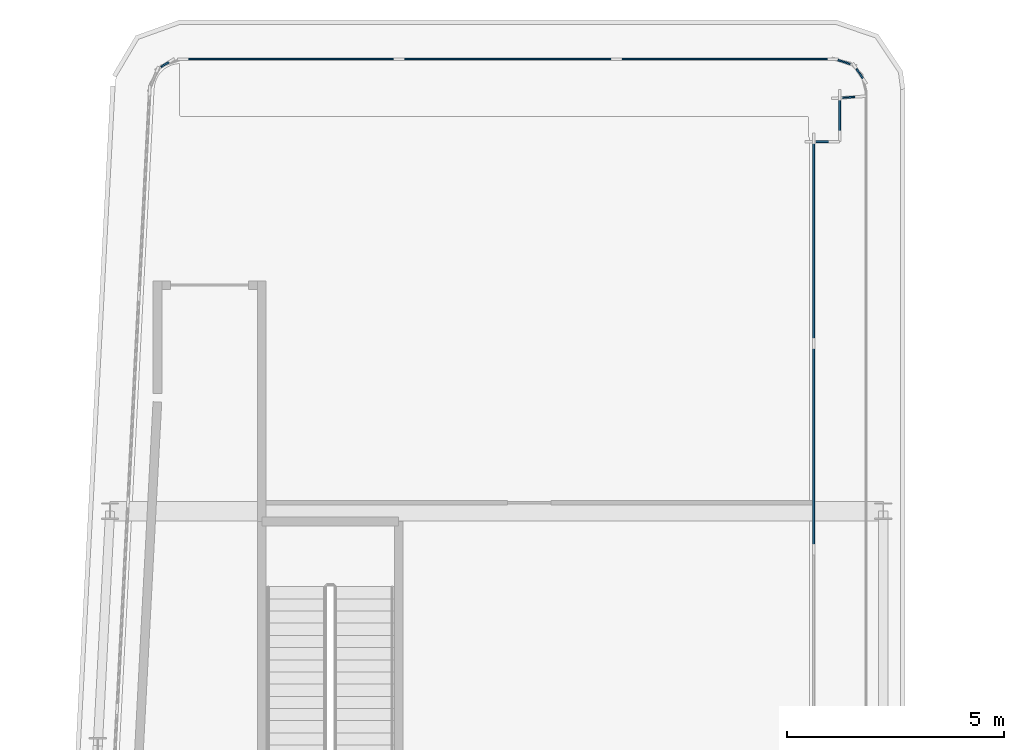
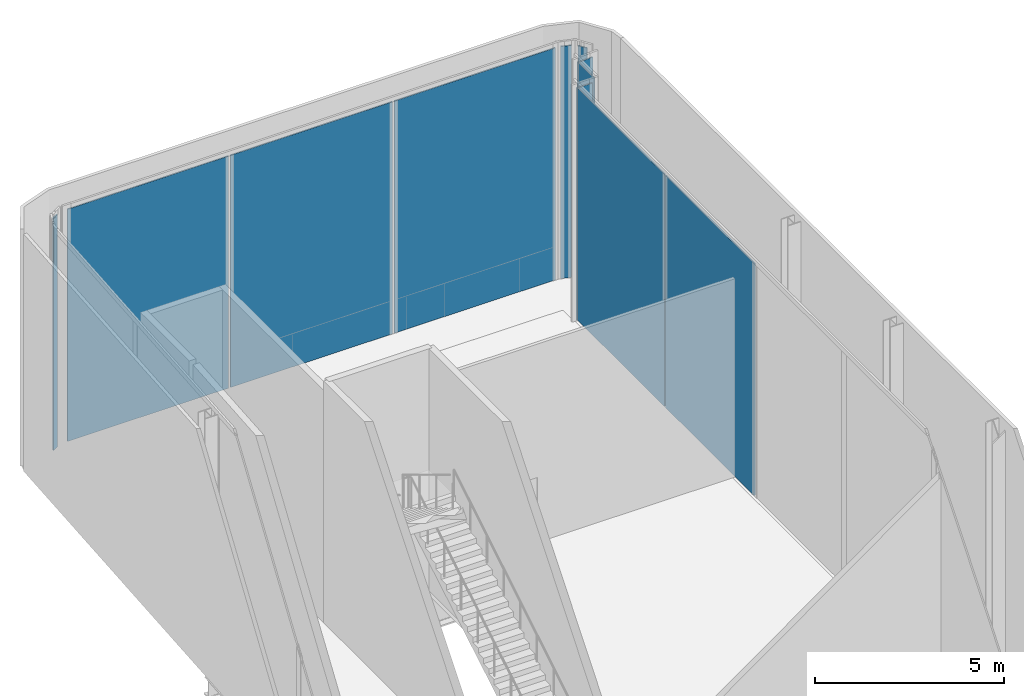
# One storey, part 19 of 28: 11 plates, 8 elements without a shape of their own.
"""IFC4 building model written with IfcOpenShell, lengths in metres."""

from ifc_helpers import new_model, si_unit, direction, frame, origin, origin_2d, place, context, subcontext, project, spatial, rectangle, extrude, material, layer, layer_set, type_object, element, aggregate, save


model = new_model("IFC4")

# Units and contexts
model_context = context("Model", 3, precision=1e-05, world=origin(), true_north=direction((0.0, 1.0)))
body_context = subcontext(model_context, "Body", "Model", "MODEL_VIEW")
ifc_project = project(units=[si_unit("LENGTHUNIT", "METRE"), si_unit("AREAUNIT", "SQUARE_METRE"), si_unit("VOLUMEUNIT", "CUBIC_METRE"), si_unit("PLANEANGLEUNIT", "RADIAN"), si_unit("MASSUNIT", "GRAM", prefix="KILO")], contexts=[model_context])

# Site, building, storey
site_placement = place(None, origin())
site = spatial("IfcSite", under=ifc_project, at=site_placement, CompositionType="ELEMENT")
building_placement = place(site_placement, origin())
building = spatial("IfcBuilding", under=site, at=building_placement, Name="Kheshtan School and Residences Tower", CompositionType="ELEMENT")
storey_placement = place(building_placement, frame((0.0, 0.0, 325.39990234375)))
storey = spatial("IfcBuildingStorey", under=building, at=storey_placement, Name="L77", CompositionType="ELEMENT", Elevation=325.39990234375)

# Curtain wall, plates
ifc_material = material(Name="Clear low-e glass in thermally broken aluminium frame", Category="aluminium")
ifc_layer_1 = layer(ifc_material, 0.25)
ifc_layer_set_1 = layer_set([ifc_layer_1], Name="Curtain wall CW-G")
curtain_wall_type_1 = type_object("IfcCurtainWallType", Name="Curtain wall CW-G", PredefinedType="NOTDEFINED", material=ifc_layer_set_1)
curtain_wall_1_placement = place(storey_placement, origin())
curtain_wall_1 = element("IfcCurtainWall", 1, at=curtain_wall_1_placement, inside=storey, type_object=curtain_wall_type_1, Name="Curtain wall CWG15", PredefinedType="NOTDEFINED")
ifc_layer_2 = layer(ifc_material, 0.0380859375)
ifc_layer_set_2 = layer_set([ifc_layer_2], Name="CW-G glass panel")
plate_type_1 = type_object("IfcPlateType", Name="CW-G glass panel", PredefinedType="CURTAIN_PANEL", material=ifc_layer_set_2)
plate_1_placement = place(storey_placement, frame((46.0, 95.014892578125, 0.0), z_axis=(0.0, 0.0, 1.0), x_axis=(0.0, -1.0, 0.0)))
plate_1 = element("IfcPlate", 2, at=plate_1_placement, type_object=plate_type_1, Name="CWG15 panel 1.1", PredefinedType="CURTAIN_PANEL", context=body_context, shape_type="SweptSolid", body=[
    extrude(rectangle(XDim=4.64990234375, YDim=0.0380859375, at=origin_2d()), origin(), (0.0, 0.0, 1.0), 7.489990234375),
])
plate_2_placement = place(storey_placement, frame((46.0, 90.2900390625, 0.0), z_axis=(0.0, 0.0, 1.0), x_axis=(0.0, -1.0, 0.0)))
plate_2 = element("IfcPlate", 3, at=plate_2_placement, type_object=plate_type_1, Name="CWG15 panel 2.1", PredefinedType="CURTAIN_PANEL", context=body_context, shape_type="SweptSolid", body=[
    extrude(rectangle(XDim=4.679931640625, YDim=0.0380859375, at=origin_2d()), origin(), (0.0, 0.0, 1.0), 7.489990234375),
])
aggregate(curtain_wall_1, [plate_1, plate_2])

# Curtain wall, plate
ifc_layer_3 = layer(ifc_material, 0.25)
ifc_layer_set_3 = layer_set([ifc_layer_3], Name="Curtain wall CW-K")
curtain_wall_type_2 = type_object("IfcCurtainWallType", Name="Curtain wall CW-K", PredefinedType="NOTDEFINED", material=ifc_layer_set_3)
curtain_wall_2_placement = place(storey_placement, origin())
curtain_wall_2 = element("IfcCurtainWall", 4, at=curtain_wall_2_placement, inside=storey, type_object=curtain_wall_type_2, Name="Curtain wall CWK8b", PredefinedType="NOTDEFINED")
ifc_layer_4 = layer(ifc_material, 0.0380859375)
ifc_layer_set_4 = layer_set([ifc_layer_4], Name="CW-K glass panel")
plate_type_2 = type_object("IfcPlateType", Name="CW-K glass panel", PredefinedType="CURTAIN_PANEL", material=ifc_layer_set_4)
plate_3_placement = place(storey_placement, frame((31.069580078125, 99.07470703125, 0.0), z_axis=(0.0, 0.0, 1.0), x_axis=(0.851763497749, 0.52392646803, 0.0)))
plate_3 = element("IfcPlate", 5, at=plate_3_placement, type_object=plate_type_2, Name="CWK8b panel 1.1", PredefinedType="CURTAIN_PANEL", context=body_context, shape_type="SweptSolid", body=[
    extrude(rectangle(XDim=0.206298828125, YDim=0.0380859375, at=origin_2d()), origin(), (0.0, 0.0, 1.0), 7.489990234375),
])
aggregate(curtain_wall_2, [plate_3])

# Curtain wall, plates
curtain_wall_3_placement = place(storey_placement, origin())
curtain_wall_3 = element("IfcCurtainWall", 6, at=curtain_wall_3_placement, inside=storey, type_object=curtain_wall_type_2, Name="Curtain wall CWK9b", PredefinedType="NOTDEFINED")
plate_4_placement = place(storey_placement, frame((33.9716796875, 99.199951171875, 0.0), z_axis=(0.0, 0.0, 1.0), x_axis=(1.0, 0.0, 0.0)))
plate_4 = element("IfcPlate", 7, at=plate_4_placement, type_object=plate_type_2, Name="CWK9b panel 1.1", PredefinedType="CURTAIN_PANEL", context=body_context, shape_type="SweptSolid", body=[
    extrude(rectangle(XDim=4.915283203125, YDim=0.0380859375, at=origin_2d()), origin(), (0.0, 0.0, 1.0), 7.489990234375),
])
plate_5_placement = place(storey_placement, frame((38.9619140625, 99.199951171875, 0.0), z_axis=(0.0, 0.0, 1.0), x_axis=(1.0, 0.0, 0.0)))
plate_5 = element("IfcPlate", 8, at=plate_5_placement, type_object=plate_type_2, Name="CWK9b panel 2.1", PredefinedType="CURTAIN_PANEL", context=body_context, shape_type="SweptSolid", body=[
    extrude(rectangle(XDim=4.9453125, YDim=0.0380859375, at=origin_2d()), origin(), (0.0, 0.0, 1.0), 7.489990234375),
])
plate_6_placement = place(storey_placement, frame((43.952392578125, 99.199951171875, 0.0), z_axis=(0.0, 0.0, 1.0), x_axis=(1.0, 0.0, 0.0)))
plate_6 = element("IfcPlate", 9, at=plate_6_placement, type_object=plate_type_2, Name="CWK9b panel 3.1", PredefinedType="CURTAIN_PANEL", context=body_context, shape_type="SweptSolid", body=[
    extrude(rectangle(XDim=4.915283203125, YDim=0.0380859375, at=origin_2d()), origin(), (0.0, 0.0, 1.0), 7.489990234375),
])
aggregate(curtain_wall_3, [plate_4, plate_5, plate_6])

# Curtain wall, plate
curtain_wall_4_placement = place(storey_placement, origin())
curtain_wall_4 = element("IfcCurtainWall", 10, at=curtain_wall_4_placement, inside=storey, type_object=curtain_wall_type_2, Name="Curtain wall CWK10b", PredefinedType="NOTDEFINED")
plate_7_placement = place(storey_placement, frame((46.697998046875, 99.13232421875, 0.0), z_axis=(0.0, 0.0, 1.0), x_axis=(0.952703792543, -0.303900450271, 0.0)))
plate_7 = element("IfcPlate", 11, at=plate_7_placement, type_object=plate_type_2, Name="CWK10b panel 1.1", PredefinedType="CURTAIN_PANEL", context=body_context, shape_type="SweptSolid", body=[
    extrude(rectangle(XDim=0.294677734375, YDim=0.0380859375, at=origin_2d()), origin(), (0.0, 0.0, 1.0), 7.489990234375),
])
aggregate(curtain_wall_4, [plate_7])

curtain_wall_5_placement = place(storey_placement, origin())
curtain_wall_5 = element("IfcCurtainWall", 12, at=curtain_wall_5_placement, inside=storey, type_object=curtain_wall_type_2, Name="Curtain wall CWK11b", PredefinedType="NOTDEFINED")
plate_8_placement = place(storey_placement, frame((47.0546875, 98.8701171875, 0.0), z_axis=(0.0, 0.0, 1.0), x_axis=(0.555301678168, -0.831648992198, 0.0)))
plate_8 = element("IfcPlate", 13, at=plate_8_placement, type_object=plate_type_2, Name="CWK11b panel 1.1", PredefinedType="CURTAIN_PANEL", context=body_context, shape_type="SweptSolid", body=[
    extrude(rectangle(XDim=0.263671875, YDim=0.0380859375, at=origin_2d()), origin(), (0.0, 0.0, 1.0), 7.489990234375),
])
aggregate(curtain_wall_5, [plate_8])

curtain_wall_6_placement = place(storey_placement, origin())
curtain_wall_6 = element("IfcCurtainWall", 14, at=curtain_wall_6_placement, inside=storey, type_object=curtain_wall_type_2, Name="Curtain wall CWK12b", PredefinedType="NOTDEFINED")
plate_9_placement = place(storey_placement, frame((46.806396484375, 98.32080078125, 0.0), z_axis=(0.0, 0.0, 1.0), x_axis=(-0.997894170503, -0.06486312108, 0.0)))
plate_9 = element("IfcPlate", 15, at=plate_9_placement, type_object=plate_type_2, Name="CWK12b panel 1.1", PredefinedType="CURTAIN_PANEL", context=body_context, shape_type="SweptSolid", body=[
    extrude(rectangle(XDim=0.481201171875, YDim=0.0380859375, at=origin_2d()), origin(), (0.0, 0.0, 1.0), 7.489990234375),
])
aggregate(curtain_wall_6, [plate_9])

curtain_wall_7_placement = place(storey_placement, origin())
curtain_wall_7 = element("IfcCurtainWall", 16, at=curtain_wall_7_placement, inside=storey, type_object=curtain_wall_type_2, Name="Curtain wall CWK13b", PredefinedType="NOTDEFINED")
plate_10_placement = place(storey_placement, frame((46.60009765625, 97.900390625, 0.0), z_axis=(0.0, 0.0, 1.0), x_axis=(0.0, -1.0, 0.0)))
plate_10 = element("IfcPlate", 17, at=plate_10_placement, type_object=plate_type_2, Name="CWK13b panel 1.1", PredefinedType="CURTAIN_PANEL", context=body_context, shape_type="SweptSolid", body=[
    extrude(rectangle(XDim=0.881103515625, YDim=0.0380859375, at=origin_2d()), origin(), (0.0, 0.0, 1.0), 7.489990234375),
])
aggregate(curtain_wall_7, [plate_10])

curtain_wall_8_placement = place(storey_placement, origin())
curtain_wall_8 = element("IfcCurtainWall", 18, at=curtain_wall_8_placement, inside=storey, type_object=curtain_wall_type_2, Name="Curtain wall CWK14b", PredefinedType="NOTDEFINED")
plate_11_placement = place(storey_placement, frame((46.199951171875, 97.300048828125, 0.0), z_axis=(0.0, 0.0, 1.0), x_axis=(-1.0, 0.0, 0.0)))
plate_11 = element("IfcPlate", 19, at=plate_11_placement, type_object=plate_type_2, Name="CWK14b panel 1.1", PredefinedType="CURTAIN_PANEL", context=body_context, shape_type="SweptSolid", body=[
    extrude(rectangle(XDim=0.47998046875, YDim=0.0380859375, at=origin_2d()), origin(), (0.0, 0.0, 1.0), 7.489990234375),
])
aggregate(curtain_wall_8, [plate_11])

save(model, "model.ifc")
